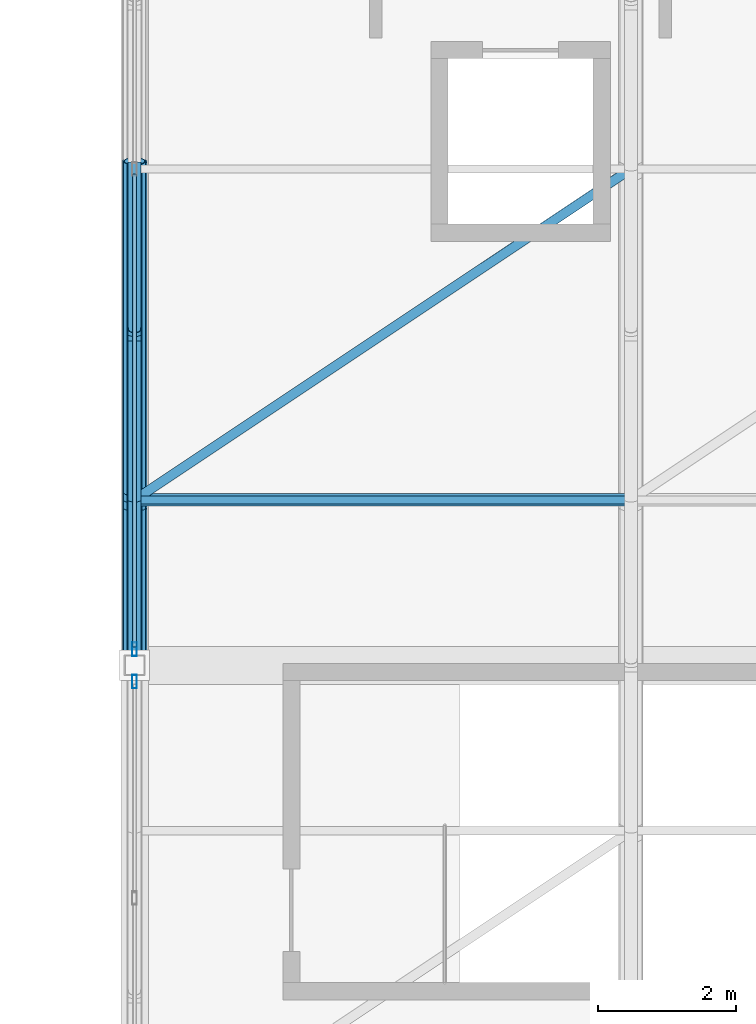
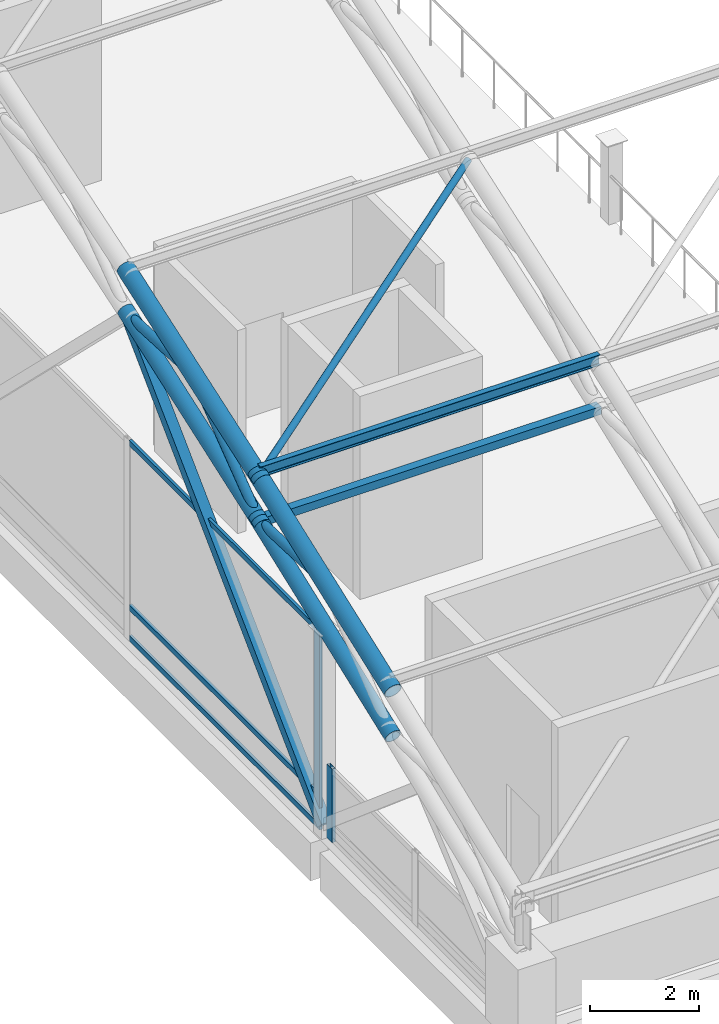
# One storey, part 28 of 116: 16 members, 2 elements without a shape of their own.
"""IFC4 building model written with IfcOpenShell, lengths in metres."""

from ifc_helpers import new_model, si_unit, direction, frame, origin, origin_2d, place, context, subcontext, project, spatial, hollow_rectangle, hollow_circle, i_section, extrude, material, material_profile, profile_set, type_object, element, aggregate, save


model = new_model("IFC4")

# Units and contexts
model_context = context("Model", 3, precision=1e-05, world=origin(), true_north=direction((0.0, 1.0)))
body_context = subcontext(model_context, "Body", "Model", "MODEL_VIEW")
ifc_project = project(units=[si_unit("LENGTHUNIT", "METRE"), si_unit("AREAUNIT", "SQUARE_METRE"), si_unit("VOLUMEUNIT", "CUBIC_METRE"), si_unit("PLANEANGLEUNIT", "RADIAN"), si_unit("MASSUNIT", "GRAM", prefix="KILO")], contexts=[model_context])

# Site, building, storey
site_placement = place(None, origin())
site = spatial("IfcSite", under=ifc_project, at=site_placement, CompositionType="ELEMENT")
building_placement = place(site_placement, origin())
building = spatial("IfcBuilding", under=site, at=building_placement, Name="Cendralis Lancet Convention Centre", CompositionType="ELEMENT")
storey_placement = place(building_placement, frame((0.0, 0.0, 15.0)))
storey = spatial("IfcBuildingStorey", under=building, at=storey_placement, Name="L03", CompositionType="ELEMENT", Elevation=15.0)

# Curtain wall, member
ifc_material_1 = material(Name="Anodised bronze architectural aluminium", Category="aluminium")
curtain_wall_type = type_object("IfcCurtainWallType", Name="ARC-CW-PL02", PredefinedType="USERDEFINED", material=ifc_material_1)
curtain_wall_1_placement = place(storey_placement, origin())
curtain_wall_1 = element("IfcCurtainWall", 1, at=curtain_wall_1_placement, inside=storey, type_object=curtain_wall_type, Name="L03 Curtain Wall CW-PL2 #136", ObjectType="CURTAIN WALL", PredefinedType="USERDEFINED")
ifc_material_profile_1 = material_profile(ifc_material_1, hollow_rectangle(XDim=0.070068359375, YDim=0.199951171875, WallThickness=0.0048828125, at=origin_2d()), Name="AL-MULL 70x200x5.0")
ifc_profile_set_1 = profile_set([ifc_material_profile_1], Name="Anodised bronze architectural aluminium")
member_type_1 = type_object("IfcMemberType", Name="ARC-CW-ML02", PredefinedType="MULLION", material=ifc_profile_set_1)
member_1_placement = place(storey_placement, frame((139.199951171875, 50.1650390625, 0.0), z_axis=(0.0, 0.0, 1.0), x_axis=(1.0, 0.0, 0.0)))
member_1 = element("IfcMember", 2, at=member_1_placement, type_object=member_type_1, Name="Mullion CW2-CW-PL2-L03-136-M2", PredefinedType="MULLION", context=body_context, shape_type="SweptSolid", body=[
    extrude(hollow_rectangle(XDim=0.070068359375, YDim=0.199951171875, WallThickness=0.0048828125, at=origin_2d()), origin(), (0.0, 0.0, 1.0), 1.64990234375),
])
aggregate(curtain_wall_1, [member_1])

# Curtain wall, members
curtain_wall_2_placement = place(storey_placement, origin())
curtain_wall_2 = element("IfcCurtainWall", 3, at=curtain_wall_2_placement, inside=storey, type_object=curtain_wall_type, Name="L03 Curtain Wall CW-PL2 #137", ObjectType="CURTAIN WALL", PredefinedType="USERDEFINED")
member_2_placement = place(storey_placement, frame((139.199951171875, 50.635009765625, 0.0), z_axis=(0.0, 0.0, 1.0), x_axis=(1.0, 0.0, 0.0)))
member_2 = element("IfcMember", 4, at=member_2_placement, type_object=member_type_1, Name="Mullion CW2-CW-PL2-L03-137-M0", PredefinedType="MULLION", context=body_context, shape_type="SweptSolid", body=[
    extrude(hollow_rectangle(XDim=0.070068359375, YDim=0.199951171875, WallThickness=0.0048828125, at=origin_2d()), origin(), (0.0, 0.0, 1.0), 4.4970703125),
])
ifc_material_profile_2 = material_profile(ifc_material_1, hollow_rectangle(XDim=0.06005859375, YDim=0.1201171875, WallThickness=0.00390625, at=origin_2d()), Name="AL-TRAN 60x120x4.0")
ifc_profile_set_2 = profile_set([ifc_material_profile_2], Name="Anodised bronze architectural aluminium")
member_type_2 = type_object("IfcMemberType", Name="ARC-CW-TR01", PredefinedType="USERDEFINED", material=ifc_profile_set_2)
member_3_placement = place(storey_placement, frame((139.199951171875, 50.669921875, 0.06005859375), z_axis=(0.0, 1.0, 0.0), x_axis=(-1.0, 0.0, 0.0)))
member_3 = element("IfcMember", 5, at=member_3_placement, type_object=member_type_2, Name="Transom CW2-CW-PL2-L03-137-T0BOT", ObjectType="TRANSOM", PredefinedType="USERDEFINED", context=body_context, shape_type="SweptSolid", body=[
    extrude(hollow_rectangle(XDim=0.06005859375, YDim=0.1201171875, WallThickness=0.00390625, at=origin_2d()), origin(), (0.0, 0.0, 1.0), 6.860107421875),
])
member_4_placement = place(storey_placement, frame((139.199951171875, 50.669921875, 0.75), z_axis=(0.0, 1.0, 0.0), x_axis=(-1.0, 0.0, 0.0)))
member_4 = element("IfcMember", 6, at=member_4_placement, type_object=member_type_2, Name="Transom CW2-CW-PL2-L03-137-T0MID", ObjectType="TRANSOM", PredefinedType="USERDEFINED", context=body_context, shape_type="SweptSolid", body=[
    extrude(hollow_rectangle(XDim=0.06005859375, YDim=0.1201171875, WallThickness=0.00390625, at=origin_2d()), origin(), (0.0, 0.0, 1.0), 6.860107421875),
])
member_5_placement = place(storey_placement, frame((139.199951171875, 50.669921875, 4.43701171875), z_axis=(0.0, 1.0, 0.0), x_axis=(-1.0, 0.0, 0.0)))
member_5 = element("IfcMember", 7, at=member_5_placement, type_object=member_type_2, Name="Transom CW2-CW-PL2-L03-137-T0TOP", ObjectType="TRANSOM", PredefinedType="USERDEFINED", context=body_context, shape_type="SweptSolid", body=[
    extrude(hollow_rectangle(XDim=0.06005859375, YDim=0.1201171875, WallThickness=0.00390625, at=origin_2d()), origin(), (0.0, 0.0, 1.0), 6.860107421875),
])
aggregate(curtain_wall_2, [member_2, member_3, member_4, member_5])

# Members
ifc_material_2 = material(Name="Steel S355", Category="steel")
ifc_material_profile_3 = material_profile(ifc_material_2, hollow_rectangle(XDim=0.219970703125, YDim=0.219970703125, WallThickness=0.012451171875, at=origin_2d()), Name="SHS 220x220x12.5")
ifc_profile_set_3 = profile_set([ifc_material_profile_3], Name="Steel S355")
member_type_3 = type_object("IfcMemberType", Name="STR-BR-GB02", PredefinedType="BRACE", material=ifc_profile_set_3)
member_6_placement = place(storey_placement, frame((139.199951171875, 50.39990234375, 0.199951171875), z_axis=(0.0, 0.714347955639, 0.699790681757), x_axis=(-1.0, 0.0, 0.0)))
element("IfcMember", 8, at=member_6_placement, inside=storey, type_object=member_type_3, Name="Plenary Gable Gothic Ogival Tracery Rib GBR2 #063", PredefinedType="BRACE", context=body_context, shape_type="SweptSolid", body=[
    extrude(hollow_rectangle(XDim=0.219970703125, YDim=0.219970703125, WallThickness=0.012451171875, at=origin_2d()), origin(), (0.0, 0.0, 1.0), 10.079345703125),
])
ifc_material_profile_4 = material_profile(ifc_material_2, hollow_circle(Radius=0.06982421875, WallThickness=0.00634765625, at=origin_2d()), Name="CHS 139.7x6.3")
ifc_profile_set_4 = profile_set([ifc_material_profile_4], Name="Steel S355")
member_type_4 = type_object("IfcMemberType", Name="STR-BR-RB02", PredefinedType="BRACE", material=ifc_profile_set_4)
member_7_placement = place(storey_placement, frame((139.199951171875, 52.800048828125, 6.538818359375), z_axis=(0.817079386858, 0.544728826592, 0.188816792291), x_axis=(-0.554706707029, 0.832045953765, 0.0)))
element("IfcMember", 9, at=member_7_placement, inside=storey, type_object=member_type_4, Name="Roof Diaphragm Brace RB02 V2-00-02A", PredefinedType="BRACE", context=body_context, shape_type="SweptSolid", body=[
    extrude(hollow_circle(Radius=0.06982421875, WallThickness=0.00634765625, at=origin_2d()), origin(), (0.0, 0.0, 1.0), 8.811767578125),
])
ifc_material_profile_5 = material_profile(ifc_material_2, hollow_rectangle(XDim=0.179931640625, YDim=0.179931640625, WallThickness=0.010009765625, at=origin_2d()), Name="SHS 180x180x10.0")
ifc_profile_set_5 = profile_set([ifc_material_profile_5], Name="Steel S355")
member_type_5 = type_object("IfcMemberType", Name="STR-BR-ST02", PredefinedType="STRUT", material=ifc_profile_set_5)
member_8_placement = place(storey_placement, frame((139.199951171875, 52.800048828125, 5.555908203125), z_axis=(1.0, 0.0, 0.0), x_axis=(0.0, 1.0, 0.0)))
element("IfcMember", 10, at=member_8_placement, inside=storey, type_object=member_type_5, Name="Arch Tie Strut ST02 V2-00-02", PredefinedType="STRUT", context=body_context, shape_type="SweptSolid", body=[
    extrude(hollow_rectangle(XDim=0.179931640625, YDim=0.179931640625, WallThickness=0.010009765625, at=origin_2d()), origin(), (0.0, 0.0, 1.0), 7.199951171875),
])
ifc_material_profile_6 = material_profile(ifc_material_2, i_section(OverallWidth=0.1201171875, OverallDepth=0.239990234375, WebThickness=0.006103515625, FlangeThickness=0.009765625, FilletRadius=0.014892578125, at=origin_2d()), Name="IPE 240")
ifc_profile_set_6 = profile_set([ifc_material_profile_6], Name="Steel S355")
member_type_6 = type_object("IfcMemberType", Name="STR-PR-PR02", PredefinedType="PURLIN", material=ifc_profile_set_6)
member_9_placement = place(storey_placement, frame((139.199951171875, 52.800048828125, 6.668701171875), z_axis=(1.0, 0.0, 0.0), x_axis=(0.0, 1.0, 0.0)))
element("IfcMember", 11, at=member_9_placement, inside=storey, type_object=member_type_6, Name="Vault Roof Purlin PR02 V2-00-02", PredefinedType="PURLIN", context=body_context, shape_type="SweptSolid", body=[
    extrude(i_section(OverallWidth=0.1201171875, OverallDepth=0.239990234375, WebThickness=0.006103515625, FlangeThickness=0.009765625, FilletRadius=0.014892578125, at=origin_2d()), origin(), (0.0, 0.0, 1.0), 7.199951171875),
])
ifc_material_profile_7 = material_profile(ifc_material_2, hollow_circle(Radius=0.161865234375, WallThickness=0.01416015625, at=origin_2d()), Name="CHS 323.9x14.2")
ifc_profile_set_7 = profile_set([ifc_material_profile_7], Name="Steel S355")
member_type_7 = type_object("IfcMemberType", Name="STR-TR-BC02", PredefinedType="CHORD", material=ifc_profile_set_7)
member_10_placement = place(storey_placement, frame((139.199951171875, 47.8876953125, 3.695556640625), z_axis=(0.0, 0.935181338514, 0.354169259105), x_axis=(-1.0, 0.0, 0.0)))
element("IfcMember", 12, at=member_10_placement, inside=storey, type_object=member_type_7, Name="ROOF TRUSS AT-V2-01 Bottom Chord 01", PredefinedType="CHORD", context=body_context, shape_type="SweptSolid", body=[
    extrude(hollow_circle(Radius=0.161865234375, WallThickness=0.01416015625, at=origin_2d()), origin(), (0.0, 0.0, 1.0), 5.37255859375),
])
member_11_placement = place(storey_placement, frame((139.199951171875, 52.68701171875, 5.51611328125), z_axis=(0.0, 0.942788943503, 0.333390173833), x_axis=(-1.0, 0.0, 0.0)))
element("IfcMember", 13, at=member_11_placement, inside=storey, type_object=member_type_7, Name="ROOF TRUSS AT-V2-01 Bottom Chord 02", PredefinedType="CHORD", context=body_context, shape_type="SweptSolid", body=[
    extrude(hollow_circle(Radius=0.161865234375, WallThickness=0.01416015625, at=origin_2d()), origin(), (0.0, 0.0, 1.0), 5.3310546875),
])
ifc_material_profile_8 = material_profile(ifc_material_2, hollow_circle(Radius=0.177734375, WallThickness=0.01611328125, at=origin_2d()), Name="CHS 355.6x16.0")
ifc_profile_set_8 = profile_set([ifc_material_profile_8], Name="Steel S355")
member_type_8 = type_object("IfcMemberType", Name="STR-TR-TC02", PredefinedType="CHORD", material=ifc_profile_set_8)
member_12_placement = place(storey_placement, frame((139.199951171875, 47.887451171875, 4.712646484375), z_axis=(0.0, 0.937337757089, 0.348422056041), x_axis=(-1.0, 0.0, 0.0)))
element("IfcMember", 14, at=member_12_placement, inside=storey, type_object=member_type_8, Name="ROOF TRUSS AT-V2-01 Top Chord 01", PredefinedType="CHORD", context=body_context, shape_type="SweptSolid", body=[
    extrude(hollow_circle(Radius=0.177734375, WallThickness=0.01611328125, at=origin_2d()), origin(), (0.0, 0.0, 1.0), 5.361083984375),
])
member_13_placement = place(storey_placement, frame((139.199951171875, 52.6865234375, 6.49951171875), z_axis=(0.0, 0.944848505706, 0.327507711764), x_axis=(-1.0, 0.0, 0.0)))
element("IfcMember", 15, at=member_13_placement, inside=storey, type_object=member_type_8, Name="ROOF TRUSS AT-V2-01 Top Chord 02", PredefinedType="CHORD", context=body_context, shape_type="SweptSolid", body=[
    extrude(hollow_circle(Radius=0.177734375, WallThickness=0.01611328125, at=origin_2d()), origin(), (0.0, 0.0, 1.0), 5.3203125),
])
ifc_material_profile_9 = material_profile(ifc_material_2, hollow_circle(Radius=0.096923828125, WallThickness=0.008056640625, at=origin_2d()), Name="CHS 193.7x8.0")
ifc_profile_set_9 = profile_set([ifc_material_profile_9], Name="Steel S355")
member_type_9 = type_object("IfcMemberType", Name="STR-TR-WD02", PredefinedType="BRACE", material=ifc_profile_set_9)
member_14_placement = place(storey_placement, frame((139.199951171875, 50.300048828125, 5.650390625), z_axis=(0.0, 0.999288228514, -0.037723154086), x_axis=(-1.0, 0.0, 0.0)))
element("IfcMember", 16, at=member_14_placement, inside=storey, type_object=member_type_9, Name="ROOF TRUSS AT-V2-01 Warren Web 01-1", PredefinedType="BRACE", context=body_context, shape_type="SweptSolid", body=[
    extrude(hollow_circle(Radius=0.096923828125, WallThickness=0.008056640625, at=origin_2d()), origin(), (0.0, 0.0, 1.0), 2.601806640625),
])
member_15_placement = place(storey_placement, frame((139.199951171875, 52.72021484375, 5.49560546875), z_axis=(0.0, 0.797620051478, 0.603160222064), x_axis=(-1.0, 0.0, 0.0)))
element("IfcMember", 17, at=member_15_placement, inside=storey, type_object=member_type_9, Name="ROOF TRUSS AT-V2-01 Warren Web 02-0", PredefinedType="BRACE", context=body_context, shape_type="SweptSolid", body=[
    extrude(hollow_circle(Radius=0.096923828125, WallThickness=0.008056640625, at=origin_2d()), origin(), (0.0, 0.0, 1.0), 3.208984375),
])
member_16_placement = place(storey_placement, frame((139.199951171875, 55.10009765625, 7.375732421875), z_axis=(0.0, 0.998805327149, -0.048866332561), x_axis=(-1.0, 0.0, 0.0)))
element("IfcMember", 18, at=member_16_placement, inside=storey, type_object=member_type_9, Name="ROOF TRUSS AT-V2-01 Warren Web 02-1", PredefinedType="BRACE", context=body_context, shape_type="SweptSolid", body=[
    extrude(hollow_circle(Radius=0.096923828125, WallThickness=0.008056640625, at=origin_2d()), origin(), (0.0, 0.0, 1.0), 2.60302734375),
])

save(model, "model.ifc")
